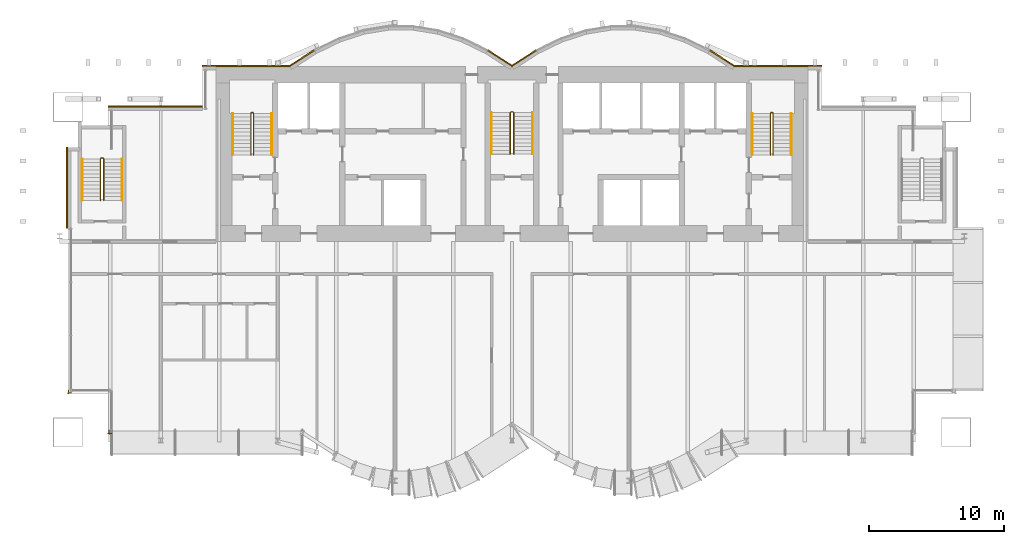
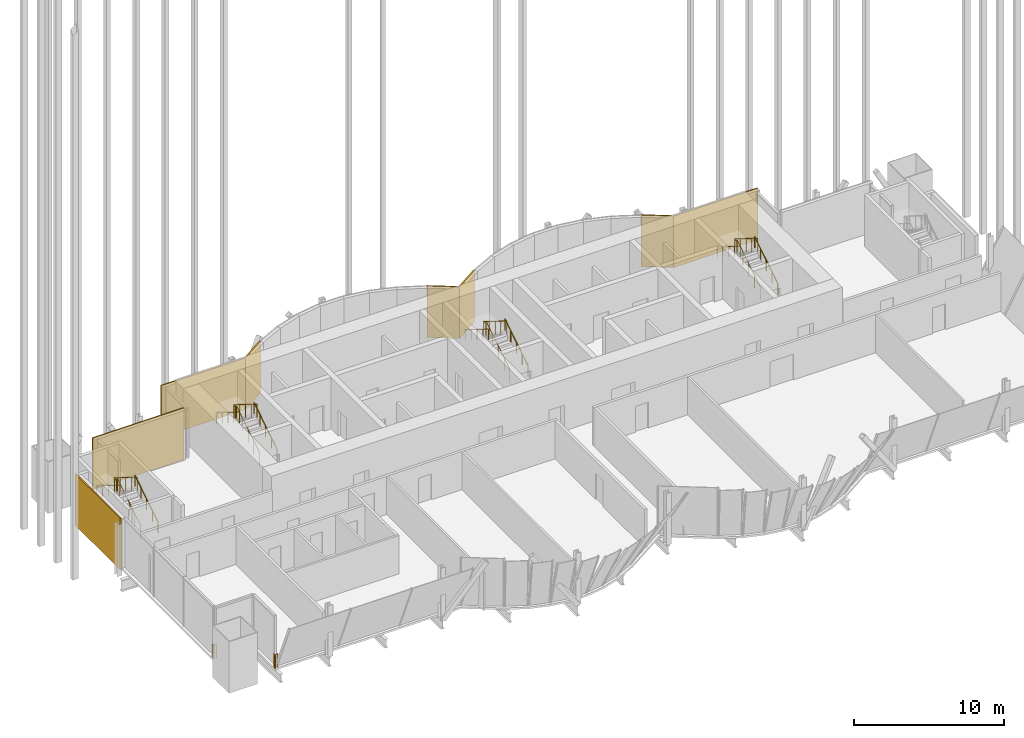
# One storey, part 27 of 28: 14 railings, 8 coverings.
"""IFC4 building model written with IfcOpenShell, lengths in metres."""

from ifc_helpers import new_model, si_unit, direction, frame, origin, origin_2d, place, context, subcontext, project, spatial, rectangle, circle, extrude, material, layer, layer_set, type_object, element, save


model = new_model("IFC4")

# Units and contexts
model_context = context("Model", 3, precision=1e-05, world=origin(), true_north=direction((0.0, 1.0)))
body_context = subcontext(model_context, "Body", "Model", "MODEL_VIEW")
ifc_project = project(units=[si_unit("LENGTHUNIT", "METRE"), si_unit("AREAUNIT", "SQUARE_METRE"), si_unit("VOLUMEUNIT", "CUBIC_METRE"), si_unit("PLANEANGLEUNIT", "RADIAN"), si_unit("MASSUNIT", "GRAM", prefix="KILO")], contexts=[model_context])

# Site, building, storey
site_placement = place(None, origin())
site = spatial("IfcSite", under=ifc_project, at=site_placement, CompositionType="ELEMENT")
building_placement = place(site_placement, origin())
building = spatial("IfcBuilding", under=site, at=building_placement, Name="Bicima Exchange Tower", CompositionType="ELEMENT")
storey_placement = place(building_placement, frame((0.0, 0.0, 241.39990234375)))
storey = spatial("IfcBuildingStorey", under=building, at=storey_placement, Name="L54", CompositionType="ELEMENT", Elevation=241.39990234375)

# Coverings
ifc_material_1 = material(Name="Bronze metal cladding")
ifc_layer_1 = layer(ifc_material_1, 0.004)
ifc_material_2 = material(Name="Ventilated cavity")
ifc_layer_2 = layer(ifc_material_2, 0.06)
ifc_material_3 = material(Name="Galvanised steel rail and mineral wool", Category="steel")
ifc_layer_3 = layer(ifc_material_3, 0.036)
ifc_layer_set = layer_set([ifc_layer_1, ifc_layer_2, ifc_layer_3], Name="Ventilated cavity")
covering_type = type_object("IfcCoveringType", Name="Bronze metal cladding panel 100", PredefinedType="CLADDING", material=ifc_layer_set)
covering_1_placement = place(storey_placement, frame((19.75, 0.050048828125, -0.14990234375), z_axis=(0.0, 0.0, 1.0), x_axis=(-1.0, 0.0, 0.0)))
element("IfcCovering", 1, at=covering_1_placement, inside=storey, type_object=covering_type, Name="Bronze cladding L54 7.1", PredefinedType="CLADDING", context=body_context, shape_type="SweptSolid", body=[
    extrude(rectangle(XDim=6.5, YDim=0.10009765625, at=origin_2d()), origin(), (0.0, 0.0, 1.0), 4.199951171875),
])
for number, where, z_axis, x_axis, name in (
    (2, (15.610595703125, 0.634521484375, -0.14990234375), (0.0, 0.0, 1.0), (-0.839790466384, 0.542910648791, 0.0), "Bronze cladding L54 8.1"),
    (3, (0.889404296875, 0.634521484375, -0.14990234375), (0.0, 0.0, 1.0), (-0.839790466384, -0.542910648791, 0.0), "Bronze cladding L54 16.1"),
    (4, (-0.889404296875, 0.634521484375, -0.14990234375), (0.0, 0.0, 1.0), (-0.839790466384, 0.542910648791, 0.0), "Bronze cladding L54 17.1"),
    (5, (-15.610595703125, 0.634521484375, -0.14990234375), (0.0, 0.0, 1.0), (-0.839790466384, -0.542910648791, 0.0), "Bronze cladding L54 25.1"),
):
    element("IfcCovering", number, at=place(storey_placement, frame(where, z_axis=z_axis, x_axis=x_axis)), inside=storey, type_object=covering_type, Name=name, PredefinedType="CLADDING", context=body_context, shape_type="SweptSolid", body=[
        extrude(rectangle(XDim=2.18310546875, YDim=0.10009765625, at=origin_2d()), origin(), (0.0, 0.0, 1.0), 4.199951171875),
    ])
covering_2_placement = place(storey_placement, frame((-19.75, 0.050048828125, -0.14990234375), z_axis=(0.0, 0.0, 1.0), x_axis=(-1.0, 0.0, 0.0)))
element("IfcCovering", 6, at=covering_2_placement, inside=storey, type_object=covering_type, Name="Bronze cladding L54 26.1", PredefinedType="CLADDING", context=body_context, shape_type="SweptSolid", body=[
    extrude(rectangle(XDim=6.5, YDim=0.10009765625, at=origin_2d()), origin(), (0.0, 0.0, 1.0), 4.199951171875),
])
covering_3_placement = place(storey_placement, frame((-26.5, -2.949951171875, -0.14990234375), z_axis=(0.0, 0.0, 1.0), x_axis=(-1.0, 0.0, 0.0)))
element("IfcCovering", 7, at=covering_3_placement, inside=storey, type_object=covering_type, Name="Bronze cladding L54 28.1", PredefinedType="CLADDING", context=body_context, shape_type="SweptSolid", body=[
    extrude(rectangle(XDim=7.0, YDim=0.10009765625, at=origin_2d()), origin(), (0.0, 0.0, 1.0), 4.199951171875),
])
covering_4_placement = place(storey_placement, frame((-33.050048828125, -9.0, -0.14990234375), z_axis=(0.0, 0.0, 1.0), x_axis=(0.0, -1.0, 0.0)))
element("IfcCovering", 8, at=covering_4_placement, inside=storey, type_object=covering_type, Name="Bronze cladding L54 31.1", PredefinedType="CLADDING", context=body_context, shape_type="SweptSolid", body=[
    extrude(rectangle(XDim=6.0, YDim=0.10009765625, at=origin_2d()), origin(), (0.0, 0.0, 1.0), 4.199951171875),
])

# Railings
ifc_material_4 = material(Name="Stainless steel and bonded safety glass", Category="steel")
railing_type_1 = type_object("IfcRailingType", Name="Edge guard 1100", PredefinedType="GUARDRAIL", material=ifc_material_4)
railing_1_placement = place(storey_placement, frame((-29.751953125, -27.238037109375, 0.0)))
element("IfcRailing", 9, at=railing_1_placement, inside=storey, type_object=railing_type_1, Name="Edge guard L54 274", PredefinedType="GUARDRAIL", context=body_context, shape_type="SweptSolid", body=[
    extrude(circle(Radius=0.02392578125, at=origin_2d()), frame((0.0, 0.0, 1.076171875), z_axis=(-1.0, 0.0, 0.0), x_axis=(0.0, -1.0, 0.0)), (0.0, 0.0, 1.0), 0.248046875),
    extrude(circle(Radius=0.02392578125, at=origin_2d()), frame((-0.248046875, 0.0, 1.076171875), z_axis=(0.707106781187, -0.707106781187, 0.0), x_axis=(0.707106781187, 0.707106781187, 0.0)), (0.0, 0.0, 1.0), 0.07080078125),
    extrude(circle(Radius=0.02392578125, at=origin_2d()), frame((-0.197998046875, -0.050048828125, 1.076171875), z_axis=(0.0, 1.0, 0.0), x_axis=(-1.0, 0.0, 0.0)), (0.0, 0.0, 1.0), 0.25),
    extrude(circle(Radius=0.02099609375, at=origin_2d()), origin(), (0.0, 0.0, 1.0), 1.052001953125),
    extrude(circle(Radius=0.02099609375, at=origin_2d()), frame((-0.248046875, 0.0, 0.0)), (0.0, 0.0, 1.0), 1.052001953125),
    extrude(circle(Radius=0.02099609375, at=origin_2d()), frame((-0.197998046875, -0.050048828125, 0.0)), (0.0, 0.0, 1.0), 1.052001953125),
    extrude(circle(Radius=0.02099609375, at=origin_2d()), frame((-0.197998046875, 0.199951171875, 0.0)), (0.0, 0.0, 1.0), 1.052001953125),
])
railing_2_placement = place(storey_placement, frame((-32.75, -24.238037109375, 0.0)))
element("IfcRailing", 10, at=railing_2_placement, inside=storey, type_object=railing_type_1, Name="Edge guard L54 275", PredefinedType="GUARDRAIL", context=body_context, shape_type="SweptSolid", body=[
    extrude(circle(Radius=0.02392578125, at=origin_2d()), frame((0.0, 0.0, 1.076171875), z_axis=(-1.0, 0.0, 0.0), x_axis=(0.0, -1.0, 0.0)), (0.0, 0.0, 1.0), 0.25),
    extrude(circle(Radius=0.02392578125, at=origin_2d()), frame((-0.25, 0.0, 1.076171875), z_axis=(0.707106781187, -0.707106781187, 0.0), x_axis=(0.707106781187, 0.707106781187, 0.0)), (0.0, 0.0, 1.0), 0.07080078125),
    extrude(circle(Radius=0.02392578125, at=origin_2d()), frame((-0.199951171875, -0.050048828125, 1.076171875), z_axis=(0.0, 1.0, 0.0), x_axis=(-1.0, 0.0, 0.0)), (0.0, 0.0, 1.0), 0.2470703125),
    extrude(circle(Radius=0.02099609375, at=origin_2d()), origin(), (0.0, 0.0, 1.0), 1.052001953125),
    extrude(circle(Radius=0.02099609375, at=origin_2d()), frame((-0.25, 0.0, 0.0)), (0.0, 0.0, 1.0), 1.052001953125),
    extrude(circle(Radius=0.02099609375, at=origin_2d()), frame((-0.199951171875, -0.050048828125, 0.0)), (0.0, 0.0, 1.0), 1.052001953125),
    extrude(circle(Radius=0.02099609375, at=origin_2d()), frame((-0.199951171875, 0.197021484375, 0.0)), (0.0, 0.0, 1.0), 1.052001953125),
])
ifc_material_5 = material(Name="Stainless steel", Category="steel")
railing_type_2 = type_object("IfcRailingType", Name="Stair guard 1100", PredefinedType="GUARDRAIL", material=ifc_material_5)
railing_3_placement = place(storey_placement, frame((-19.199951171875, -6.550048828125, 0.175048828125)))
element("IfcRailing", 11, at=railing_3_placement, inside=storey, type_object=railing_type_2, Name="L54 ST-W stair guard 1", PredefinedType="GUARDRAIL", context=body_context, shape_type="SweptSolid", body=[
    extrude(circle(Radius=0.02392578125, at=origin_2d()), frame((0.0, 0.0, 1.076171875), z_axis=(0.0, 0.847998304005, 0.529998940003), x_axis=(-1.0, 0.0, 0.0)), (0.0, 0.0, 1.0), 3.632080078125),
    extrude(circle(Radius=0.02392578125, at=origin_2d()), frame((0.0, 3.080078125, 3.0009765625), z_axis=(-0.707106781187, 0.707106781187, 0.0), x_axis=(-0.707106781187, -0.707106781187, 0.0)), (0.0, 0.0, 1.0), 0.07080078125),
    extrude(circle(Radius=0.02392578125, at=origin_2d()), frame((-0.050048828125, 3.130126953125, 3.0009765625), z_axis=(-1.0, 0.0, 0.0), x_axis=(0.0, -1.0, 0.0)), (0.0, 0.0, 1.0), 0.10009765625),
    extrude(circle(Radius=0.02392578125, at=origin_2d()), frame((-0.150146484375, 3.130126953125, 3.0009765625), z_axis=(-0.263862480399, -0.265155923931, 0.927399011991), x_axis=(0.708833529934, -0.705375805398, 0.0)), (0.0, 0.0, 1.0), 0.188720703125),
    extrude(circle(Radius=0.02392578125, at=origin_2d()), frame((-0.199951171875, 3.080078125, 3.17626953125), z_axis=(0.0, -0.847998304005, 0.529998940003), x_axis=(1.0, 0.0, 0.0)), (0.0, 0.0, 1.0), 3.632080078125),
    extrude(circle(Radius=0.02099609375, at=origin_2d()), origin(), (0.0, 0.0, 1.0), 1.052001953125),
    extrude(circle(Radius=0.02099609375, at=origin_2d()), frame((0.0, 0.77001953125, 0.481201171875)), (0.0, 0.0, 1.0), 1.052001953125),
    extrude(circle(Radius=0.02099609375, at=origin_2d()), frame((0.0, 1.5400390625, 0.96240234375)), (0.0, 0.0, 1.0), 1.052001953125),
    extrude(circle(Radius=0.02099609375, at=origin_2d()), frame((0.0, 2.31005859375, 1.44384765625)), (0.0, 0.0, 1.0), 1.052001953125),
    extrude(circle(Radius=0.02099609375, at=origin_2d()), frame((0.0, 3.080078125, 1.925048828125)), (0.0, 0.0, 1.0), 1.052001953125),
    extrude(circle(Radius=0.02099609375, at=origin_2d()), frame((-0.050048828125, 3.130126953125, 1.925048828125)), (0.0, 0.0, 1.0), 1.052001953125),
    extrude(circle(Radius=0.02099609375, at=origin_2d()), frame((-0.150146484375, 3.130126953125, 1.925048828125)), (0.0, 0.0, 1.0), 1.052001953125),
    extrude(circle(Radius=0.02099609375, at=origin_2d()), frame((-0.199951171875, 3.080078125, 2.10009765625)), (0.0, 0.0, 1.0), 1.052001953125),
    extrude(circle(Radius=0.02099609375, at=origin_2d()), frame((-0.199951171875, 2.31005859375, 2.581298828125)), (0.0, 0.0, 1.0), 1.052001953125),
    extrude(circle(Radius=0.02099609375, at=origin_2d()), frame((-0.199951171875, 1.5400390625, 3.0625)), (0.0, 0.0, 1.0), 1.052001953125),
    extrude(circle(Radius=0.02099609375, at=origin_2d()), frame((-0.199951171875, 0.77001953125, 3.5439453125)), (0.0, 0.0, 1.0), 1.052001953125),
    extrude(circle(Radius=0.02099609375, at=origin_2d()), frame((-0.199951171875, 0.0, 4.025146484375)), (0.0, 0.0, 1.0), 1.052001953125),
])
railing_4_placement = place(storey_placement, frame((0.125, -6.5, 0.175048828125)))
element("IfcRailing", 12, at=railing_4_placement, inside=storey, type_object=railing_type_2, Name="L54 ST-C stair guard 1", PredefinedType="GUARDRAIL", context=body_context, shape_type="SweptSolid", body=[
    extrude(circle(Radius=0.02392578125, at=origin_2d()), frame((0.0, 0.0, 1.076171875), z_axis=(0.0, 0.847998304005, 0.529998940003), x_axis=(-1.0, 0.0, 0.0)), (0.0, 0.0, 1.0), 3.632080078125),
    extrude(circle(Radius=0.02392578125, at=origin_2d()), frame((0.0, 3.080078125, 3.0009765625), z_axis=(-0.708833529934, 0.705375805398, 0.0), x_axis=(-0.705375805398, -0.708833529934, 0.0)), (0.0, 0.0, 1.0), 0.070556640625),
    extrude(circle(Radius=0.02392578125, at=origin_2d()), frame((-0.050048828125, 3.1298828125, 3.0009765625), z_axis=(-1.0, 0.0, 0.0), x_axis=(0.0, -1.0, 0.0)), (0.0, 0.0, 1.0), 0.14990234375),
    extrude(circle(Radius=0.02392578125, at=origin_2d()), frame((-0.199951171875, 3.1298828125, 3.0009765625), z_axis=(-0.265155923931, -0.263862480399, 0.927399011991), x_axis=(0.705375805398, -0.708833529934, 0.0)), (0.0, 0.0, 1.0), 0.188720703125),
    extrude(circle(Radius=0.02392578125, at=origin_2d()), frame((-0.25, 3.080078125, 3.17626953125), z_axis=(0.0, -0.847998304005, 0.529998940003), x_axis=(1.0, 0.0, 0.0)), (0.0, 0.0, 1.0), 3.632080078125),
    extrude(circle(Radius=0.02099609375, at=origin_2d()), origin(), (0.0, 0.0, 1.0), 1.052001953125),
    extrude(circle(Radius=0.02099609375, at=origin_2d()), frame((0.0, 0.77001953125, 0.481201171875)), (0.0, 0.0, 1.0), 1.052001953125),
    extrude(circle(Radius=0.02099609375, at=origin_2d()), frame((0.0, 1.5400390625, 0.96240234375)), (0.0, 0.0, 1.0), 1.052001953125),
    extrude(circle(Radius=0.02099609375, at=origin_2d()), frame((0.0, 2.31005859375, 1.44384765625)), (0.0, 0.0, 1.0), 1.052001953125),
    extrude(circle(Radius=0.02099609375, at=origin_2d()), frame((0.0, 3.080078125, 1.925048828125)), (0.0, 0.0, 1.0), 1.052001953125),
    extrude(circle(Radius=0.02099609375, at=origin_2d()), frame((-0.050048828125, 3.1298828125, 1.925048828125)), (0.0, 0.0, 1.0), 1.052001953125),
    extrude(circle(Radius=0.02099609375, at=origin_2d()), frame((-0.199951171875, 3.1298828125, 1.925048828125)), (0.0, 0.0, 1.0), 1.052001953125),
    extrude(circle(Radius=0.02099609375, at=origin_2d()), frame((-0.25, 3.080078125, 2.10009765625)), (0.0, 0.0, 1.0), 1.052001953125),
    extrude(circle(Radius=0.02099609375, at=origin_2d()), frame((-0.25, 2.31005859375, 2.581298828125)), (0.0, 0.0, 1.0), 1.052001953125),
    extrude(circle(Radius=0.02099609375, at=origin_2d()), frame((-0.25, 1.5400390625, 3.0625)), (0.0, 0.0, 1.0), 1.052001953125),
    extrude(circle(Radius=0.02099609375, at=origin_2d()), frame((-0.25, 0.77001953125, 3.5439453125)), (0.0, 0.0, 1.0), 1.052001953125),
    extrude(circle(Radius=0.02099609375, at=origin_2d()), frame((-0.25, 0.0, 4.025146484375)), (0.0, 0.0, 1.0), 1.052001953125),
])
railing_5_placement = place(storey_placement, frame((19.39990234375, -6.550048828125, 0.175048828125)))
element("IfcRailing", 13, at=railing_5_placement, inside=storey, type_object=railing_type_2, Name="L54 ST-E stair guard 1", PredefinedType="GUARDRAIL", context=body_context, shape_type="SweptSolid", body=[
    extrude(circle(Radius=0.02392578125, at=origin_2d()), frame((0.0, 0.0, 1.076171875), z_axis=(0.0, 0.847998304005, 0.529998940003), x_axis=(-1.0, 0.0, 0.0)), (0.0, 0.0, 1.0), 3.632080078125),
    extrude(circle(Radius=0.02392578125, at=origin_2d()), frame((0.0, 3.080078125, 3.0009765625), z_axis=(-0.705375805398, 0.708833529934, 0.0), x_axis=(-0.708833529934, -0.705375805398, 0.0)), (0.0, 0.0, 1.0), 0.070556640625),
    extrude(circle(Radius=0.02392578125, at=origin_2d()), frame((-0.0498046875, 3.130126953125, 3.0009765625), z_axis=(-1.0, 0.0, 0.0), x_axis=(0.0, -1.0, 0.0)), (0.0, 0.0, 1.0), 0.10009765625),
    extrude(circle(Radius=0.02392578125, at=origin_2d()), frame((-0.14990234375, 3.130126953125, 3.0009765625), z_axis=(-0.265065253269, -0.265065253269, 0.927081885822), x_axis=(0.707106781187, -0.707106781187, 0.0)), (0.0, 0.0, 1.0), 0.188720703125),
    extrude(circle(Radius=0.02392578125, at=origin_2d()), frame((-0.199951171875, 3.080078125, 3.17626953125), z_axis=(0.0, -0.847998304005, 0.529998940003), x_axis=(1.0, 0.0, 0.0)), (0.0, 0.0, 1.0), 3.632080078125),
    extrude(circle(Radius=0.02099609375, at=origin_2d()), origin(), (0.0, 0.0, 1.0), 1.052001953125),
    extrude(circle(Radius=0.02099609375, at=origin_2d()), frame((0.0, 0.77001953125, 0.481201171875)), (0.0, 0.0, 1.0), 1.052001953125),
    extrude(circle(Radius=0.02099609375, at=origin_2d()), frame((0.0, 1.5400390625, 0.96240234375)), (0.0, 0.0, 1.0), 1.052001953125),
    extrude(circle(Radius=0.02099609375, at=origin_2d()), frame((0.0, 2.31005859375, 1.44384765625)), (0.0, 0.0, 1.0), 1.052001953125),
    extrude(circle(Radius=0.02099609375, at=origin_2d()), frame((0.0, 3.080078125, 1.925048828125)), (0.0, 0.0, 1.0), 1.052001953125),
    extrude(circle(Radius=0.02099609375, at=origin_2d()), frame((-0.0498046875, 3.130126953125, 1.925048828125)), (0.0, 0.0, 1.0), 1.052001953125),
    extrude(circle(Radius=0.02099609375, at=origin_2d()), frame((-0.14990234375, 3.130126953125, 1.925048828125)), (0.0, 0.0, 1.0), 1.052001953125),
    extrude(circle(Radius=0.02099609375, at=origin_2d()), frame((-0.199951171875, 3.080078125, 2.10009765625)), (0.0, 0.0, 1.0), 1.052001953125),
    extrude(circle(Radius=0.02099609375, at=origin_2d()), frame((-0.199951171875, 2.31005859375, 2.581298828125)), (0.0, 0.0, 1.0), 1.052001953125),
    extrude(circle(Radius=0.02099609375, at=origin_2d()), frame((-0.199951171875, 1.5400390625, 3.0625)), (0.0, 0.0, 1.0), 1.052001953125),
    extrude(circle(Radius=0.02099609375, at=origin_2d()), frame((-0.199951171875, 0.77001953125, 3.5439453125)), (0.0, 0.0, 1.0), 1.052001953125),
    extrude(circle(Radius=0.02099609375, at=origin_2d()), frame((-0.199951171875, 0.0, 4.025146484375)), (0.0, 0.0, 1.0), 1.052001953125),
])
railing_6_placement = place(storey_placement, frame((-30.324951171875, -9.925048828125, 0.175048828125)))
element("IfcRailing", 14, at=railing_6_placement, inside=storey, type_object=railing_type_2, Name="L54 ST-WW stair guard 1", PredefinedType="GUARDRAIL", context=body_context, shape_type="SweptSolid", body=[
    extrude(circle(Radius=0.02392578125, at=origin_2d()), frame((0.0, 0.0, 1.076171875), z_axis=(0.0, 0.847998304005, 0.529998940003), x_axis=(-1.0, 0.0, 0.0)), (0.0, 0.0, 1.0), 3.632080078125),
    extrude(circle(Radius=0.02392578125, at=origin_2d()), frame((0.0, 3.080078125, 3.0009765625), z_axis=(-0.707106781187, 0.707106781187, 0.0), x_axis=(-0.707106781187, -0.707106781187, 0.0)), (0.0, 0.0, 1.0), 0.07080078125),
    extrude(circle(Radius=0.02392578125, at=origin_2d()), frame((-0.050048828125, 3.130126953125, 3.0009765625), z_axis=(-1.0, 0.0, 0.0), x_axis=(0.0, -1.0, 0.0)), (0.0, 0.0, 1.0), 0.14990234375),
    extrude(circle(Radius=0.02392578125, at=origin_2d()), frame((-0.199951171875, 3.130126953125, 3.0009765625), z_axis=(-0.265065253269, -0.265065253269, 0.927081885822), x_axis=(0.707106781187, -0.707106781187, 0.0)), (0.0, 0.0, 1.0), 0.188720703125),
    extrude(circle(Radius=0.02392578125, at=origin_2d()), frame((-0.25, 3.080078125, 3.17626953125), z_axis=(0.0, -0.847998304005, 0.529998940003), x_axis=(1.0, 0.0, 0.0)), (0.0, 0.0, 1.0), 3.632080078125),
    extrude(circle(Radius=0.02099609375, at=origin_2d()), origin(), (0.0, 0.0, 1.0), 1.052001953125),
    extrude(circle(Radius=0.02099609375, at=origin_2d()), frame((0.0, 0.77001953125, 0.481201171875)), (0.0, 0.0, 1.0), 1.052001953125),
    extrude(circle(Radius=0.02099609375, at=origin_2d()), frame((0.0, 1.5400390625, 0.96240234375)), (0.0, 0.0, 1.0), 1.052001953125),
    extrude(circle(Radius=0.02099609375, at=origin_2d()), frame((0.0, 2.31005859375, 1.44384765625)), (0.0, 0.0, 1.0), 1.052001953125),
    extrude(circle(Radius=0.02099609375, at=origin_2d()), frame((0.0, 3.080078125, 1.925048828125)), (0.0, 0.0, 1.0), 1.052001953125),
    extrude(circle(Radius=0.02099609375, at=origin_2d()), frame((-0.050048828125, 3.130126953125, 1.925048828125)), (0.0, 0.0, 1.0), 1.052001953125),
    extrude(circle(Radius=0.02099609375, at=origin_2d()), frame((-0.199951171875, 3.130126953125, 1.925048828125)), (0.0, 0.0, 1.0), 1.052001953125),
    extrude(circle(Radius=0.02099609375, at=origin_2d()), frame((-0.25, 3.080078125, 2.10009765625)), (0.0, 0.0, 1.0), 1.052001953125),
    extrude(circle(Radius=0.02099609375, at=origin_2d()), frame((-0.25, 2.31005859375, 2.581298828125)), (0.0, 0.0, 1.0), 1.052001953125),
    extrude(circle(Radius=0.02099609375, at=origin_2d()), frame((-0.25, 1.5400390625, 3.0625)), (0.0, 0.0, 1.0), 1.052001953125),
    extrude(circle(Radius=0.02099609375, at=origin_2d()), frame((-0.25, 0.77001953125, 3.5439453125)), (0.0, 0.0, 1.0), 1.052001953125),
    extrude(circle(Radius=0.02099609375, at=origin_2d()), frame((-0.25, 0.0, 4.025146484375)), (0.0, 0.0, 1.0), 1.052001953125),
])
railing_type_3 = type_object("IfcRailingType", Name="Stair handrail 900", PredefinedType="HANDRAIL", material=ifc_material_5)
railing_7_placement = place(storey_placement, frame((-17.85009765625, -6.550048828125, 0.175048828125)))
element("IfcRailing", 15, at=railing_7_placement, inside=storey, type_object=railing_type_3, Name="L54 ST-W stair handrail 1", PredefinedType="HANDRAIL", context=body_context, shape_type="SweptSolid", body=[
    extrude(circle(Radius=0.02392578125, at=origin_2d()), frame((0.0, 0.0, 0.8759765625), z_axis=(0.0, 0.847998304005, 0.529998940003), x_axis=(-1.0, 0.0, 0.0)), (0.0, 0.0, 1.0), 3.632080078125),
    extrude(circle(Radius=0.02099609375, at=origin_2d()), origin(), (0.0, 0.0, 1.0), 0.851806640625),
    extrude(circle(Radius=0.02099609375, at=origin_2d()), frame((0.0, 0.77001953125, 0.481201171875)), (0.0, 0.0, 1.0), 0.851806640625),
    extrude(circle(Radius=0.02099609375, at=origin_2d()), frame((0.0, 1.5400390625, 0.96240234375)), (0.0, 0.0, 1.0), 0.851806640625),
    extrude(circle(Radius=0.02099609375, at=origin_2d()), frame((0.0, 2.31005859375, 1.44384765625)), (0.0, 0.0, 1.0), 0.851806640625),
    extrude(circle(Radius=0.02099609375, at=origin_2d()), frame((0.0, 3.080078125, 1.925048828125)), (0.0, 0.0, 1.0), 0.851806640625),
])
railing_8_placement = place(storey_placement, frame((-20.75, -3.469970703125, 2.30419921875)))
element("IfcRailing", 16, at=railing_8_placement, inside=storey, type_object=railing_type_3, Name="L54 ST-W stair handrail 2", PredefinedType="HANDRAIL", context=body_context, shape_type="SweptSolid", body=[
    extrude(circle(Radius=0.02392578125, at=origin_2d()), frame((0.0, 0.0, 0.8759765625), z_axis=(0.0, -0.848028513186, 0.529950602248), x_axis=(1.0, 0.0, 0.0)), (0.0, 0.0, 1.0), 3.632080078125),
    extrude(circle(Radius=0.02099609375, at=origin_2d()), origin(), (0.0, 0.0, 1.0), 0.851806640625),
    extrude(circle(Radius=0.02099609375, at=origin_2d()), frame((0.0, -0.77001953125, 0.481201171875)), (0.0, 0.0, 1.0), 0.851806640625),
    extrude(circle(Radius=0.02099609375, at=origin_2d()), frame((0.0, -1.5400390625, 0.96240234375)), (0.0, 0.0, 1.0), 0.851806640625),
    extrude(circle(Radius=0.02099609375, at=origin_2d()), frame((0.0, -2.31005859375, 1.443603515625)), (0.0, 0.0, 1.0), 0.851806640625),
    extrude(circle(Radius=0.02099609375, at=origin_2d()), frame((0.0, -3.080078125, 1.9248046875)), (0.0, 0.0, 1.0), 0.851806640625),
])
railing_9_placement = place(storey_placement, frame((1.52490234375, -6.5, 0.175048828125)))
element("IfcRailing", 17, at=railing_9_placement, inside=storey, type_object=railing_type_3, Name="L54 ST-C stair handrail 1", PredefinedType="HANDRAIL", context=body_context, shape_type="SweptSolid", body=[
    extrude(circle(Radius=0.02392578125, at=origin_2d()), frame((0.0, 0.0, 0.8759765625), z_axis=(0.0, 0.847998304005, 0.529998940003), x_axis=(-1.0, 0.0, 0.0)), (0.0, 0.0, 1.0), 3.632080078125),
    extrude(circle(Radius=0.02099609375, at=origin_2d()), origin(), (0.0, 0.0, 1.0), 0.851806640625),
    extrude(circle(Radius=0.02099609375, at=origin_2d()), frame((0.0, 0.77001953125, 0.481201171875)), (0.0, 0.0, 1.0), 0.851806640625),
    extrude(circle(Radius=0.02099609375, at=origin_2d()), frame((0.0, 1.5400390625, 0.96240234375)), (0.0, 0.0, 1.0), 0.851806640625),
    extrude(circle(Radius=0.02099609375, at=origin_2d()), frame((0.0, 2.31005859375, 1.44384765625)), (0.0, 0.0, 1.0), 0.851806640625),
    extrude(circle(Radius=0.02099609375, at=origin_2d()), frame((0.0, 3.080078125, 1.925048828125)), (0.0, 0.0, 1.0), 0.851806640625),
])
railing_10_placement = place(storey_placement, frame((-1.52490234375, -3.419921875, 2.30419921875)))
element("IfcRailing", 18, at=railing_10_placement, inside=storey, type_object=railing_type_3, Name="L54 ST-C stair handrail 2", PredefinedType="HANDRAIL", context=body_context, shape_type="SweptSolid", body=[
    extrude(circle(Radius=0.02392578125, at=origin_2d()), frame((0.0, 0.0, 0.8759765625), z_axis=(0.0, -0.848028513186, 0.529950602248), x_axis=(1.0, 0.0, 0.0)), (0.0, 0.0, 1.0), 3.632080078125),
    extrude(circle(Radius=0.02099609375, at=origin_2d()), origin(), (0.0, 0.0, 1.0), 0.851806640625),
    extrude(circle(Radius=0.02099609375, at=origin_2d()), frame((0.0, -0.77001953125, 0.481201171875)), (0.0, 0.0, 1.0), 0.851806640625),
    extrude(circle(Radius=0.02099609375, at=origin_2d()), frame((0.0, -1.5400390625, 0.96240234375)), (0.0, 0.0, 1.0), 0.851806640625),
    extrude(circle(Radius=0.02099609375, at=origin_2d()), frame((0.0, -2.31005859375, 1.443603515625)), (0.0, 0.0, 1.0), 0.851806640625),
    extrude(circle(Radius=0.02099609375, at=origin_2d()), frame((0.0, -3.080078125, 1.9248046875)), (0.0, 0.0, 1.0), 0.851806640625),
])
railing_11_placement = place(storey_placement, frame((20.75, -6.550048828125, 0.175048828125)))
element("IfcRailing", 19, at=railing_11_placement, inside=storey, type_object=railing_type_3, Name="L54 ST-E stair handrail 1", PredefinedType="HANDRAIL", context=body_context, shape_type="SweptSolid", body=[
    extrude(circle(Radius=0.02392578125, at=origin_2d()), frame((0.0, 0.0, 0.8759765625), z_axis=(0.0, 0.847998304005, 0.529998940003), x_axis=(-1.0, 0.0, 0.0)), (0.0, 0.0, 1.0), 3.632080078125),
    extrude(circle(Radius=0.02099609375, at=origin_2d()), origin(), (0.0, 0.0, 1.0), 0.851806640625),
    extrude(circle(Radius=0.02099609375, at=origin_2d()), frame((0.0, 0.77001953125, 0.481201171875)), (0.0, 0.0, 1.0), 0.851806640625),
    extrude(circle(Radius=0.02099609375, at=origin_2d()), frame((0.0, 1.5400390625, 0.96240234375)), (0.0, 0.0, 1.0), 0.851806640625),
    extrude(circle(Radius=0.02099609375, at=origin_2d()), frame((0.0, 2.31005859375, 1.44384765625)), (0.0, 0.0, 1.0), 0.851806640625),
    extrude(circle(Radius=0.02099609375, at=origin_2d()), frame((0.0, 3.080078125, 1.925048828125)), (0.0, 0.0, 1.0), 0.851806640625),
])
railing_12_placement = place(storey_placement, frame((17.85009765625, -3.469970703125, 2.30419921875)))
element("IfcRailing", 20, at=railing_12_placement, inside=storey, type_object=railing_type_3, Name="L54 ST-E stair handrail 2", PredefinedType="HANDRAIL", context=body_context, shape_type="SweptSolid", body=[
    extrude(circle(Radius=0.02392578125, at=origin_2d()), frame((0.0, 0.0, 0.8759765625), z_axis=(0.0, -0.848028513186, 0.529950602248), x_axis=(1.0, 0.0, 0.0)), (0.0, 0.0, 1.0), 3.632080078125),
    extrude(circle(Radius=0.02099609375, at=origin_2d()), origin(), (0.0, 0.0, 1.0), 0.851806640625),
    extrude(circle(Radius=0.02099609375, at=origin_2d()), frame((0.0, -0.77001953125, 0.481201171875)), (0.0, 0.0, 1.0), 0.851806640625),
    extrude(circle(Radius=0.02099609375, at=origin_2d()), frame((0.0, -1.5400390625, 0.96240234375)), (0.0, 0.0, 1.0), 0.851806640625),
    extrude(circle(Radius=0.02099609375, at=origin_2d()), frame((0.0, -2.31005859375, 1.443603515625)), (0.0, 0.0, 1.0), 0.851806640625),
    extrude(circle(Radius=0.02099609375, at=origin_2d()), frame((0.0, -3.080078125, 1.9248046875)), (0.0, 0.0, 1.0), 0.851806640625),
])
railing_13_placement = place(storey_placement, frame((-28.97509765625, -9.925048828125, 0.175048828125)))
element("IfcRailing", 21, at=railing_13_placement, inside=storey, type_object=railing_type_3, Name="L54 ST-WW stair handrail 1", PredefinedType="HANDRAIL", context=body_context, shape_type="SweptSolid", body=[
    extrude(circle(Radius=0.02392578125, at=origin_2d()), frame((0.0, 0.0, 0.8759765625), z_axis=(0.0, 0.847998304005, 0.529998940003), x_axis=(-1.0, 0.0, 0.0)), (0.0, 0.0, 1.0), 3.632080078125),
    extrude(circle(Radius=0.02099609375, at=origin_2d()), origin(), (0.0, 0.0, 1.0), 0.851806640625),
    extrude(circle(Radius=0.02099609375, at=origin_2d()), frame((0.0, 0.77001953125, 0.481201171875)), (0.0, 0.0, 1.0), 0.851806640625),
    extrude(circle(Radius=0.02099609375, at=origin_2d()), frame((0.0, 1.5400390625, 0.96240234375)), (0.0, 0.0, 1.0), 0.851806640625),
    extrude(circle(Radius=0.02099609375, at=origin_2d()), frame((0.0, 2.31005859375, 1.44384765625)), (0.0, 0.0, 1.0), 0.851806640625),
    extrude(circle(Radius=0.02099609375, at=origin_2d()), frame((0.0, 3.080078125, 1.925048828125)), (0.0, 0.0, 1.0), 0.851806640625),
])
railing_14_placement = place(storey_placement, frame((-31.925048828125, -6.844970703125, 2.30419921875)))
element("IfcRailing", 22, at=railing_14_placement, inside=storey, type_object=railing_type_3, Name="L54 ST-WW stair handrail 2", PredefinedType="HANDRAIL", context=body_context, shape_type="SweptSolid", body=[
    extrude(circle(Radius=0.02392578125, at=origin_2d()), frame((0.0, 0.0, 0.8759765625), z_axis=(0.0, -0.848028513186, 0.529950602248), x_axis=(1.0, 0.0, 0.0)), (0.0, 0.0, 1.0), 3.632080078125),
    extrude(circle(Radius=0.02099609375, at=origin_2d()), origin(), (0.0, 0.0, 1.0), 0.851806640625),
    extrude(circle(Radius=0.02099609375, at=origin_2d()), frame((0.0, -0.77001953125, 0.481201171875)), (0.0, 0.0, 1.0), 0.851806640625),
    extrude(circle(Radius=0.02099609375, at=origin_2d()), frame((0.0, -1.5400390625, 0.96240234375)), (0.0, 0.0, 1.0), 0.851806640625),
    extrude(circle(Radius=0.02099609375, at=origin_2d()), frame((0.0, -2.31005859375, 1.443603515625)), (0.0, 0.0, 1.0), 0.851806640625),
    extrude(circle(Radius=0.02099609375, at=origin_2d()), frame((0.0, -3.080078125, 1.9248046875)), (0.0, 0.0, 1.0), 0.851806640625),
])

save(model, "model.ifc")
